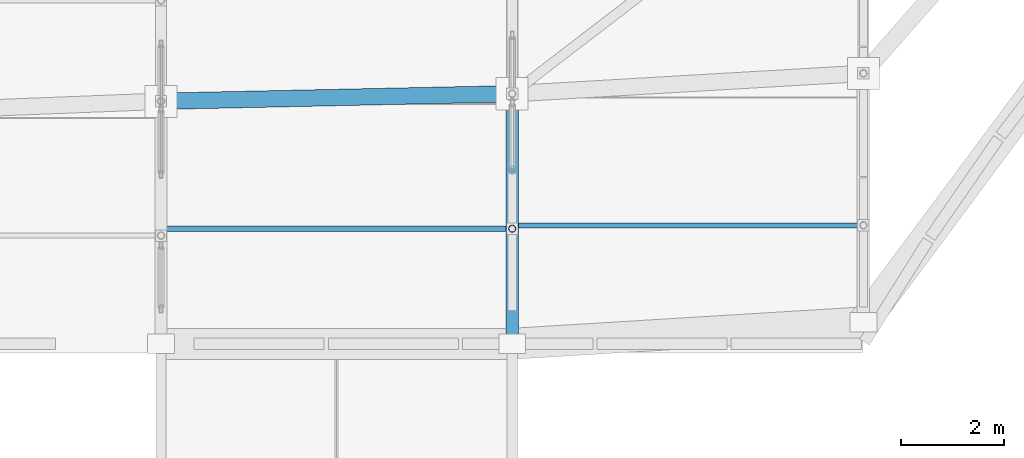
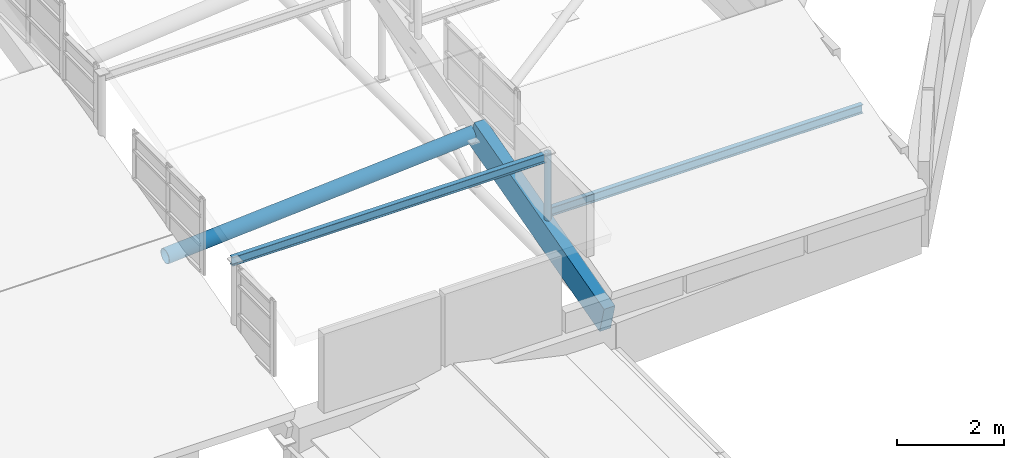
# One storey, part 70 of 188: 5 members.
"""IFC4 building model written with IfcOpenShell, lengths in metres."""

from ifc_helpers import new_model, si_unit, direction, frame, origin, origin_2d, place, context, subcontext, project, spatial, rectangle, hollow_circle, i_section, extrude, material, material_profile, profile_set, type_object, element, save


model = new_model("IFC4")

# Units and contexts
model_context = context("Model", 3, precision=1e-05, world=origin(), true_north=direction((0.0, 1.0)))
body_context = subcontext(model_context, "Body", "Model", "MODEL_VIEW")
ifc_project = project(units=[si_unit("LENGTHUNIT", "METRE"), si_unit("AREAUNIT", "SQUARE_METRE"), si_unit("VOLUMEUNIT", "CUBIC_METRE"), si_unit("PLANEANGLEUNIT", "RADIAN"), si_unit("MASSUNIT", "GRAM", prefix="KILO")], contexts=[model_context])

# Site, building, storey
site_placement = place(None, origin())
site = spatial("IfcSite", under=ifc_project, at=site_placement, CompositionType="ELEMENT")
building_placement = place(site_placement, origin())
building = spatial("IfcBuilding", under=site, at=building_placement, Name="Kisaragi Civic Commons", CompositionType="ELEMENT")
storey_placement = place(building_placement, frame((0.0, 0.0, 9.60009765625)))
storey = spatial("IfcBuildingStorey", under=building, at=storey_placement, Name="L02", CompositionType="ELEMENT", Elevation=9.60009765625)

# Members
ifc_material_1 = material(Name="Steel SN490 (SN490B)", Category="steel")
ifc_material_profile_1 = material_profile(ifc_material_1, hollow_circle(Radius=0.1591796875, WallThickness=0.01025390625, at=origin_2d()), Name="CHS-318.5x10.3", Category="steel")
ifc_profile_set_1 = profile_set([ifc_material_profile_1], Name="Steel SN490 (SN490B)")
member_type_1 = type_object("IfcMemberType", Name="GC-03", PredefinedType="CHORD", material=ifc_profile_set_1)
member_1_placement = place(storey_placement, frame((13.60009765625, 83.896240234375, 0.569091796875), z_axis=(0.998408446151, 0.021364764969, 0.052193117105), x_axis=(-0.021393924666, 0.999771123802, 0.0)))
element("IfcMember", 1, at=member_1_placement, inside=storey, type_object=member_type_1, Name="V2 wave gridshell chord GC-03 15", PredefinedType="CHORD", context=body_context, shape_type="SweptSolid", body=[
    extrude(hollow_circle(Radius=0.1591796875, WallThickness=0.01025390625, at=origin_2d()), origin(), (0.0, 0.0, 1.0), 6.810546875),
])
ifc_material_2 = material(Name="Glulam E120-F330", Category="wood")
ifc_material_profile_2 = material_profile(ifc_material_2, rectangle(XDim=0.239990234375, YDim=0.6298828125, at=origin_2d()), Name="GL-240x630", Category="wood")
ifc_profile_set_2 = profile_set([ifc_material_profile_2], Name="Glulam E120-F330")
member_type_2 = type_object("IfcMemberType", Name="GR-03", PredefinedType="RAFTER", material=ifc_profile_set_2)
member_2_placement = place(storey_placement, frame((20.39990234375, 79.199951171875, -0.385009765625), z_axis=(0.0, 0.965314336914, 0.261090465067), x_axis=(-1.0, 0.0, 0.0)))
element("IfcMember", 2, at=member_2_placement, inside=storey, type_object=member_type_2, Name="V2 glulam arch rib GR-03 25", PredefinedType="RAFTER", context=body_context, shape_type="SweptSolid", body=[
    extrude(rectangle(XDim=0.239990234375, YDim=0.6298828125, at=origin_2d()), origin(), (0.0, 0.0, 1.0), 5.015869140625),
])
ifc_material_3 = material(Name="Steel SN400 (SN400B)", Category="steel")
ifc_material_profile_3 = material_profile(ifc_material_3, i_section(OverallWidth=0.10009765625, OverallDepth=0.199951171875, WebThickness=0.005615234375, FlangeThickness=0.008056640625, FilletRadius=0.008056640625, at=origin_2d()), Name="H-200x100x5.5x8", Category="steel")
ifc_profile_set_3 = profile_set([ifc_material_profile_3], Name="Steel SN400 (SN400B)")
member_type_3 = type_object("IfcMemberType", Name="PR-02", PredefinedType="PURLIN", material=ifc_profile_set_3)
member_3_placement = place(storey_placement, frame((13.60009765625, 81.429443359375, 1.960205078125), z_axis=(1.0, 0.0, 0.0), x_axis=(0.0, 1.0, 0.0)))
element("IfcMember", 3, at=member_3_placement, inside=storey, type_object=member_type_3, Name="V2 wave vault steel purlin 17", PredefinedType="PURLIN", context=body_context, shape_type="SweptSolid", body=[
    extrude(i_section(OverallWidth=0.10009765625, OverallDepth=0.199951171875, WebThickness=0.005615234375, FlangeThickness=0.008056640625, FilletRadius=0.008056640625, at=origin_2d()), origin(), (0.0, 0.0, 1.0), 6.7998046875),
])
member_4_placement = place(storey_placement, frame((20.39990234375, 81.493896484375, 0.64208984375), z_axis=(1.0, 0.0, 0.0), x_axis=(0.0, 1.0, 0.0)))
element("IfcMember", 4, at=member_4_placement, inside=storey, type_object=member_type_3, Name="V2 wave vault steel purlin 25", PredefinedType="PURLIN", context=body_context, shape_type="SweptSolid", body=[
    extrude(i_section(OverallWidth=0.10009765625, OverallDepth=0.199951171875, WebThickness=0.005615234375, FlangeThickness=0.008056640625, FilletRadius=0.008056640625, at=origin_2d()), origin(), (0.0, 0.0, 1.0), 6.800048828125),
])
ifc_material_profile_4 = material_profile(ifc_material_1, hollow_circle(Radius=0.06982421875, WallThickness=0.006103515625, at=origin_2d()), Name="CHS-139.8x6.0", Category="steel")
ifc_profile_set_4 = profile_set([ifc_material_profile_4], Name="Steel SN490 (SN490B)")
member_type_4 = type_object("IfcMemberType", Name="ST-H1", PredefinedType="STRUT", material=ifc_profile_set_4)
member_5_placement = place(storey_placement, frame((20.39990234375, 81.429443359375, 0.218017578125), z_axis=(0.0, 0.0, 1.0), x_axis=(1.0, 0.0, 0.0)))
element("IfcMember", 5, at=member_5_placement, inside=storey, type_object=member_type_4, Name="V2 clerestory monitor horizontal tie strut 3.3.1", PredefinedType="STRUT", context=body_context, shape_type="SweptSolid", body=[
    extrude(hollow_circle(Radius=0.06982421875, WallThickness=0.006103515625, at=origin_2d()), origin(), (0.0, 0.0, 1.0), 1.84228515625),
])

save(model, "model.ifc")
